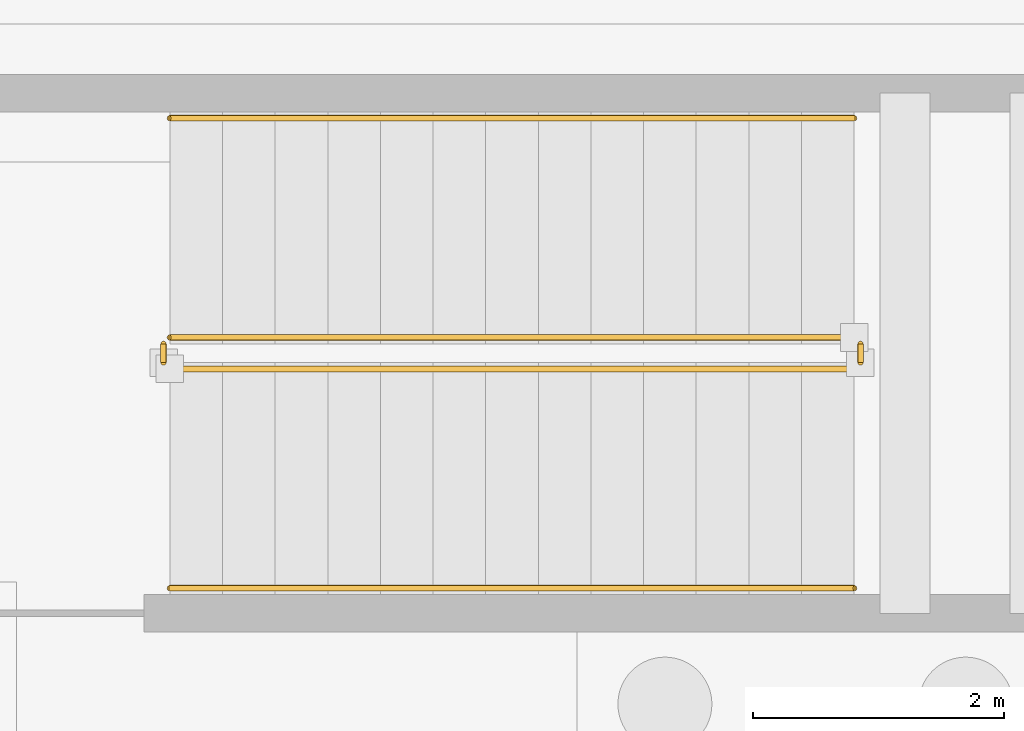
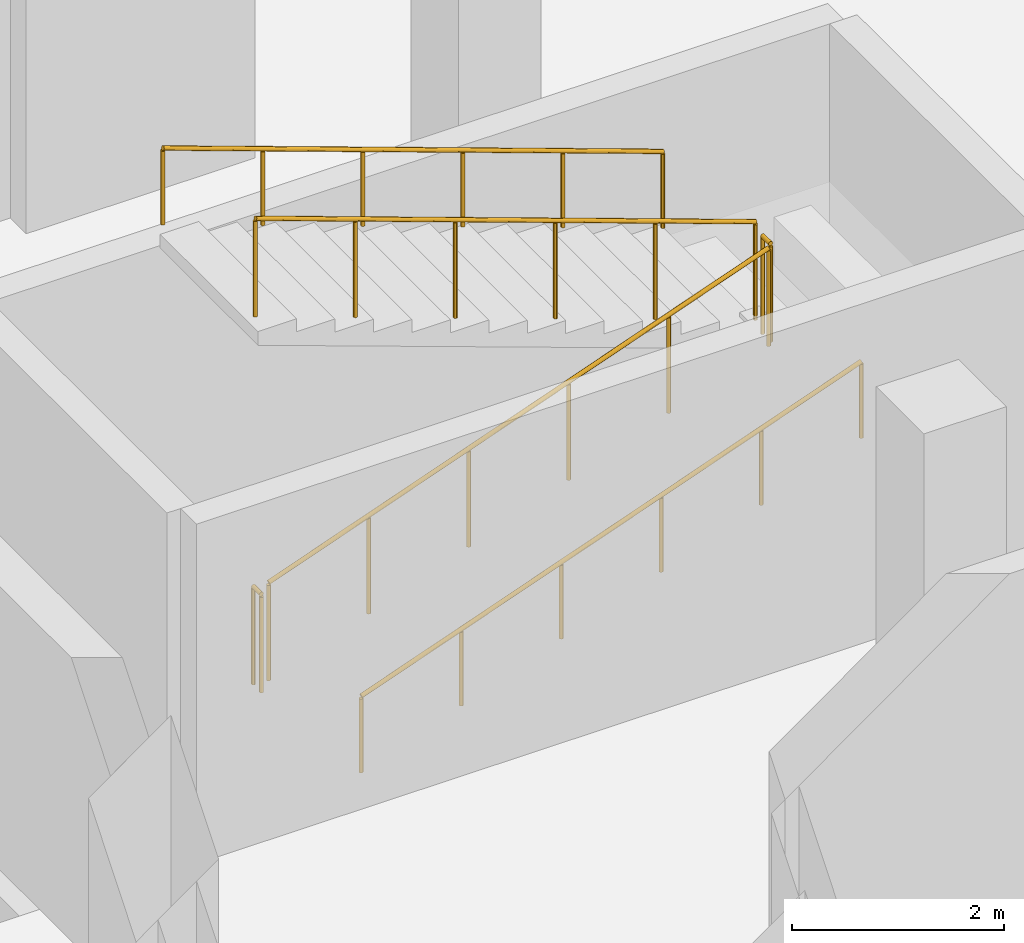
# One storey, part 23 of 28: 6 railings.
"""IFC4 building model written with IfcOpenShell, lengths in metres."""

import ifcopenshell
import ifcopenshell.guid

model = None  # the IFC model being written
_history = None  # IfcOwnerHistory: only IFC2X3 demands one
_inside = {}  # id of a spatial element -> (the spatial element, [elements in it])
_under = {}  # id of a project, library or spatial element -> (it, [spatial elements below it])
_declared = {}  # id of a project -> (the project, [libraries it declares])
_typed = {}  # id of a type object -> (the type object, [elements of that type])
_made_of = {}  # id of a material, layer set ... -> (it, [elements and type objects made of it])


def new_model(schema):
    """Start an empty IFC model of exactly this schema.

    Asked for "IFC4X3", IfcOpenShell would pick the latest addendum, in which some entities
    have other attributes; the version numbers below select the first issue.
    IFC2X3 requires an IfcOwnerHistory on every rooted entity: one is made here for all.
    """
    global model, _history
    if schema == "IFC4X3":
        model = ifcopenshell.file(schema_version=(4, 3, 0, 0))
    else:
        model = ifcopenshell.file(schema=schema)
    _inside.clear()
    _under.clear()
    _declared.clear()
    _typed.clear()
    _made_of.clear()
    _history = None
    if model.schema == "IFC2X3":
        org = make("IfcOrganization", Name="unknown")
        user = make(
            "IfcPersonAndOrganization",
            ThePerson=make("IfcPerson", FamilyName="unknown"),
            TheOrganization=org,
        )
        app = make(
            "IfcApplication",
            ApplicationDeveloper=org,
            Version="unknown",
            ApplicationFullName="unknown",
            ApplicationIdentifier="unknown",
        )
        _history = make(
            "IfcOwnerHistory",
            OwningUser=user,
            OwningApplication=app,
            ChangeAction="ADDED",
            CreationDate=0,
        )
    return model


def make(cls, **values):
    """One entity of the class cls with the attributes given. An attribute that is None is left unset."""
    return model.create_entity(
        cls, **{name: value for name, value in values.items() if value is not None}
    )


def rooted(cls, **values):
    """An entity with a GlobalId (a new one), such as an element, a storey or a relation."""
    return make(cls, GlobalId=ifcopenshell.guid.new(), OwnerHistory=_history, **values)


def si_unit(unit_type, name, prefix=None):
    """IfcSIUnit, for example si_unit("LENGTHUNIT", "METRE", prefix="MILLI")."""
    return make("IfcSIUnit", UnitType=unit_type, Prefix=prefix, Name=name)


def assignment(units):
    """IfcUnitAssignment: the units of a project."""
    return None if units is None else make("IfcUnitAssignment", Units=units)


def point(xyz):
    """IfcCartesianPoint."""
    return None if xyz is None else make("IfcCartesianPoint", Coordinates=xyz)


def direction(xyz):
    """IfcDirection."""
    return None if xyz is None else make("IfcDirection", DirectionRatios=xyz)


def frame(location, z_axis=None, x_axis=None):
    """IfcAxis2Placement3D, a coordinate frame: its origin and axes. An axis left out is left unset."""
    return make(
        "IfcAxis2Placement3D",
        Location=point(location),
        Axis=direction(z_axis),
        RefDirection=direction(x_axis),
    )


def frame_2d(location, x_axis=None):
    """IfcAxis2Placement2D, a coordinate frame in the plane: its origin and x axis."""
    return make(
        "IfcAxis2Placement2D", Location=point(location), RefDirection=direction(x_axis)
    )


def origin():
    """The frame at (0, 0, 0) with its axes left unset."""
    return frame((0.0, 0.0, 0.0))


def origin_2d():
    """The frame at (0, 0) in the plane with its x axis left unset."""
    return frame_2d((0.0, 0.0))


def place(relative_to, where):
    """IfcLocalPlacement: puts the frame where relative to a parent placement (None: the world)."""
    return make(
        "IfcLocalPlacement", PlacementRelTo=relative_to, RelativePlacement=where
    )


def context(
    kind, dimensions, precision=None, world=None, true_north=None, identifier=None
):
    """IfcGeometricRepresentationContext, for example the 3D "Model" context."""
    return make(
        "IfcGeometricRepresentationContext",
        ContextIdentifier=identifier,
        ContextType=kind,
        CoordinateSpaceDimension=dimensions,
        Precision=precision,
        WorldCoordinateSystem=world,
        TrueNorth=true_north,
    )


def subcontext(parent, identifier, kind, view, scale=None):
    """IfcGeometricRepresentationSubContext, for example "Body" below "Model"."""
    return make(
        "IfcGeometricRepresentationSubContext",
        ContextIdentifier=identifier,
        ContextType=kind,
        ParentContext=parent,
        TargetScale=scale,
        TargetView=view,
    )


def project(units=None, contexts=None):
    """IfcProject with its units and contexts."""
    return rooted(
        "IfcProject",
        Name="project",
        RepresentationContexts=contexts,
        UnitsInContext=assignment(units),
    )


def spatial(cls, under=None, at=None, **own):
    """A site, building, storey or space (cls), placed at a placement, below another one or the project."""
    s = rooted(cls, ObjectPlacement=at, **own)
    if under is not None:
        _under.setdefault(under.id(), (under, []))[1].append(s)
    return s


def profile(cls, at=None, kind="AREA", **sizes):
    """A parametric profile (cls). Its sizes go by their IFC names, for example OverallWidth=200.0."""
    return make(cls, ProfileType=kind, Position=at, **sizes)


def circle(**sizes):
    """IfcCircleProfileDef."""
    return profile("IfcCircleProfileDef", **sizes)


def extrude(swept, where, along, depth):
    """IfcExtrudedAreaSolid: the profile swept, set in the frame where, extruded along a direction by depth."""
    return make(
        "IfcExtrudedAreaSolid",
        SweptArea=swept,
        Position=where,
        ExtrudedDirection=direction(along),
        Depth=depth,
    )


def shape(context_of_items, identifier, shape_type, items):
    """IfcShapeRepresentation: the items that make up one representation, for example the "Body"."""
    return make(
        "IfcShapeRepresentation",
        ContextOfItems=context_of_items,
        RepresentationIdentifier=identifier,
        RepresentationType=shape_type,
        Items=items,
    )


def material(Name=None, Category=None):
    """IfcMaterial."""
    return make("IfcMaterial", Name=Name, Category=Category)


def layer(
    of_material, thickness, ventilated=None, Name=None, Category=None, Priority=None
):
    """IfcMaterialLayer: one layer of a wall or slab, of a material (None: an air gap)."""
    return make(
        "IfcMaterialLayer",
        Material=of_material,
        LayerThickness=thickness,
        IsVentilated=ventilated,
        Name=Name,
        Category=Category,
        Priority=Priority,
    )


def layer_set(layers, Name=None):
    """IfcMaterialLayerSet."""
    return make("IfcMaterialLayerSet", MaterialLayers=layers, LayerSetName=Name)


def made_of(thing, what):
    """Note that an element or type object is made of a material, layer set ...; save() writes the relation."""
    if what is not None:
        _made_of.setdefault(what.id(), (what, []))[1].append(thing)
    return thing


def type_object(cls, material=None, **own):
    """A type object (cls), such as IfcWallType, which elements share."""
    return made_of(rooted(cls, **own), material)


def element(
    cls,
    number,
    at=None,
    inside=None,
    cuts=None,
    type_object=None,
    material=None,
    context=None,
    identifier="Body",
    shape_type=None,
    held_by="IfcProductDefinitionShape",
    body=None,
    shapes=None,
    **own,
):
    """One element of the class cls, such as IfcWall. Its Tag is "e" and its number.

    at: its placement. inside: the storey or other place that contains it. cuts: it is an
    opening in that element (IfcRelVoidsElement). A single representation is given by context,
    identifier, shape_type and body (its items); several are given by shapes. held_by: the class
    of the entity that holds the representations. save() writes the other relations.
    """
    e = rooted(cls, Tag="e%d" % number, ObjectPlacement=at, **own)
    if body is not None:
        shapes = [shape(context, identifier, shape_type, body)]
    if shapes is not None:
        e.Representation = make(held_by, Representations=shapes)
    if inside is not None:
        _inside.setdefault(inside.id(), (inside, []))[1].append(e)
    if cuts is not None:
        rooted(
            "IfcRelVoidsElement", RelatingBuildingElement=cuts, RelatedOpeningElement=e
        )
    if type_object is not None:
        _typed.setdefault(type_object.id(), (type_object, []))[1].append(e)
    return made_of(e, material)


def aggregate(whole, parts):
    """IfcRelAggregates: a whole, such as a stair, and the parts it consists of."""
    return rooted("IfcRelAggregates", RelatingObject=whole, RelatedObjects=parts)


def save(model, path):
    """Write the relations noted so far, then the file.

    IfcRelAggregates (storeys below a building ...), IfcRelContainedInSpatialStructure (elements
    in a storey), IfcRelDefinesByType, IfcRelAssociatesMaterial and IfcRelDeclares: one each for
    every whole, place, type object, material and project.
    """
    for whole, parts in _under.values():
        aggregate(whole, parts)
    for where, things in _inside.values():
        rooted(
            "IfcRelContainedInSpatialStructure",
            RelatedElements=things,
            RelatingStructure=where,
        )
    for kind, things in _typed.values():
        rooted("IfcRelDefinesByType", RelatedObjects=things, RelatingType=kind)
    for what, things in _made_of.values():
        rooted("IfcRelAssociatesMaterial", RelatedObjects=things, RelatingMaterial=what)
    for by, libraries in _declared.values():
        rooted("IfcRelDeclares", RelatingContext=by, RelatedDefinitions=libraries)
    model.write(path)


model = new_model("IFC4")

# Units and contexts
model_context = context("Model", 3, precision=1e-05, world=origin(), true_north=direction((0.0, 1.0)))
body_context = subcontext(model_context, "Body", "Model", "MODEL_VIEW")
ifc_project = project(units=[si_unit("LENGTHUNIT", "METRE"), si_unit("AREAUNIT", "SQUARE_METRE"), si_unit("VOLUMEUNIT", "CUBIC_METRE"), si_unit("PLANEANGLEUNIT", "RADIAN"), si_unit("MASSUNIT", "GRAM", prefix="KILO")], contexts=[model_context])

# Site, building, storey
site_placement = place(None, origin())
site = spatial("IfcSite", under=ifc_project, at=site_placement, CompositionType="ELEMENT")
building_placement = place(site_placement, origin())
building = spatial("IfcBuilding", under=site, at=building_placement, Name="Varnakota Cinema and Media Centre", CompositionType="ELEMENT")
storey_placement = place(building_placement, frame((0.0, 0.0, -4.199951171875)))
storey = spatial("IfcBuildingStorey", under=building, at=storey_placement, Name="B1", CompositionType="ELEMENT", Elevation=-4.199951171875)

# Railings
ifc_material_1 = material(Name="Structural steel Grade 350 (E350)", Category="steel")
ifc_layer_1 = layer(ifc_material_1, 0.050048828125)
ifc_layer_set_1 = layer_set([ifc_layer_1], Name="Structural steel Grade 350 (E350)")
railing_type_1 = type_object("IfcRailingType", Name="RAIL-STAIR-GUARD-1150", PredefinedType="GUARDRAIL", material=ifc_layer_set_1)
railing_1_placement = place(storey_placement, frame((3.449951171875, 30.199951171875, 0.14990234375)))
element("IfcRailing", 1, at=railing_1_placement, inside=storey, type_object=railing_type_1, Name="B1 ST-B1 stair guard 1", PredefinedType="GUARDRAIL", context=body_context, shape_type="SweptSolid", body=[
    extrude(circle(Radius=0.02392578125, at=origin_2d()), frame((0.0, 0.0, 1.1259765625), z_axis=(0.941743817001, 0.0, 0.336331061813), x_axis=(0.0, 1.0, 0.0)), (0.0, 0.0, 1.0), 5.797607421875),
    extrude(circle(Radius=0.02099609375, at=origin_2d()), origin(), (0.0, 0.0, 1.0), 1.101806640625),
    extrude(circle(Radius=0.02099609375, at=origin_2d()), frame((1.092041015625, 0.0, 0.389892578125)), (0.0, 0.0, 1.0), 1.101806640625),
    extrude(circle(Radius=0.02099609375, at=origin_2d()), frame((2.18408203125, 0.0, 0.780029296875)), (0.0, 0.0, 1.0), 1.101806640625),
    extrude(circle(Radius=0.02099609375, at=origin_2d()), frame((3.27587890625, 0.0, 1.169921875)), (0.0, 0.0, 1.0), 1.101806640625),
    extrude(circle(Radius=0.02099609375, at=origin_2d()), frame((4.367919921875, 0.0, 1.56005859375)), (0.0, 0.0, 1.0), 1.101806640625),
    extrude(circle(Radius=0.02099609375, at=origin_2d()), frame((5.4599609375, 0.0, 1.949951171875)), (0.0, 0.0, 1.0), 1.101806640625),
])
railing_2_placement = place(storey_placement, frame((8.9599609375, 30.25, 2.099853515625)))
element("IfcRailing", 2, at=railing_2_placement, inside=storey, type_object=railing_type_1, Name="B1 ST-B1 stair guard 2", PredefinedType="GUARDRAIL", context=body_context, shape_type="SweptSolid", body=[
    extrude(circle(Radius=0.02392578125, at=origin_2d()), frame((0.0, 0.0, 1.1259765625), z_axis=(0.0, 1.0, 0.0), x_axis=(-1.0, 0.0, 0.0)), (0.0, 0.0, 1.0), 0.14990234375),
    extrude(circle(Radius=0.02099609375, at=origin_2d()), origin(), (0.0, 0.0, 1.0), 1.101806640625),
    extrude(circle(Radius=0.02099609375, at=origin_2d()), frame((0.0, 0.14990234375, 0.0)), (0.0, 0.0, 1.0), 1.101806640625),
])
railing_3_placement = place(storey_placement, frame((8.909912109375, 30.449951171875, 2.25)))
element("IfcRailing", 3, at=railing_3_placement, inside=storey, type_object=railing_type_1, Name="B1 ST-B1 stair guard 3", PredefinedType="GUARDRAIL", context=body_context, shape_type="SweptSolid", body=[
    extrude(circle(Radius=0.02392578125, at=origin_2d()), frame((0.0, 0.0, 1.1259765625), z_axis=(-0.941743817001, 0.0, 0.336331061813), x_axis=(0.0, -1.0, 0.0)), (0.0, 0.0, 1.0), 5.797607421875),
    extrude(circle(Radius=0.02099609375, at=origin_2d()), origin(), (0.0, 0.0, 1.0), 1.101806640625),
    extrude(circle(Radius=0.02099609375, at=origin_2d()), frame((-1.092041015625, 0.0, 0.389892578125)), (0.0, 0.0, 1.0), 1.101806640625),
    extrude(circle(Radius=0.02099609375, at=origin_2d()), frame((-2.18408203125, 0.0, 0.780029296875)), (0.0, 0.0, 1.0), 1.101806640625),
    extrude(circle(Radius=0.02099609375, at=origin_2d()), frame((-3.27587890625, 0.0, 1.169921875)), (0.0, 0.0, 1.0), 1.101806640625),
    extrude(circle(Radius=0.02099609375, at=origin_2d()), frame((-4.367919921875, 0.0, 1.56005859375)), (0.0, 0.0, 1.0), 1.101806640625),
    extrude(circle(Radius=0.02099609375, at=origin_2d()), frame((-5.4599609375, 0.0, 1.949951171875)), (0.0, 0.0, 1.0), 1.101806640625),
])
railing_4_placement = place(storey_placement, frame((3.39990234375, 30.25, 0.0)))
element("IfcRailing", 4, at=railing_4_placement, inside=storey, type_object=railing_type_1, Name="B1 ST-B1 stair guard 4", PredefinedType="GUARDRAIL", context=body_context, shape_type="SweptSolid", body=[
    extrude(circle(Radius=0.02392578125, at=origin_2d()), frame((0.0, 0.0, 1.1259765625), z_axis=(0.0, 1.0, 0.0), x_axis=(-1.0, 0.0, 0.0)), (0.0, 0.0, 1.0), 0.14990234375),
    extrude(circle(Radius=0.02099609375, at=origin_2d()), origin(), (0.0, 0.0, 1.0), 1.101806640625),
    extrude(circle(Radius=0.02099609375, at=origin_2d()), frame((0.0, 0.14990234375, 0.0)), (0.0, 0.0, 1.0), 1.101806640625),
])
ifc_material_2 = material(Name="Structural steel Grade 350 (E350)", Category="steel")
ifc_layer_2 = layer(ifc_material_2, 0.048095703125)
ifc_layer_set_2 = layer_set([ifc_layer_2], Name="Structural steel Grade 350 (E350)")
railing_type_2 = type_object("IfcRailingType", Name="RAIL-STAIR-HAND-900", PredefinedType="HANDRAIL", material=ifc_layer_set_2)
railing_5_placement = place(storey_placement, frame((3.449951171875, 28.449951171875, 0.14990234375)))
element("IfcRailing", 5, at=railing_5_placement, inside=storey, type_object=railing_type_2, Name="B1 ST-B1 stair handrail 1", PredefinedType="HANDRAIL", context=body_context, shape_type="SweptSolid", body=[
    extrude(circle(Radius=0.02392578125, at=origin_2d()), frame((0.0, 0.0, 0.8759765625), z_axis=(0.941743817001, 0.0, 0.336331061813), x_axis=(0.0, 1.0, 0.0)), (0.0, 0.0, 1.0), 5.797607421875),
    extrude(circle(Radius=0.02099609375, at=origin_2d()), origin(), (0.0, 0.0, 1.0), 0.851806640625),
    extrude(circle(Radius=0.02099609375, at=origin_2d()), frame((1.092041015625, 0.0, 0.389892578125)), (0.0, 0.0, 1.0), 0.851806640625),
    extrude(circle(Radius=0.02099609375, at=origin_2d()), frame((2.18408203125, 0.0, 0.780029296875)), (0.0, 0.0, 1.0), 0.851806640625),
    extrude(circle(Radius=0.02099609375, at=origin_2d()), frame((3.27587890625, 0.0, 1.169921875)), (0.0, 0.0, 1.0), 0.851806640625),
    extrude(circle(Radius=0.02099609375, at=origin_2d()), frame((4.367919921875, 0.0, 1.56005859375)), (0.0, 0.0, 1.0), 0.851806640625),
    extrude(circle(Radius=0.02099609375, at=origin_2d()), frame((5.4599609375, 0.0, 1.949951171875)), (0.0, 0.0, 1.0), 0.851806640625),
])
railing_6_placement = place(storey_placement, frame((8.909912109375, 32.199951171875, 2.25)))
element("IfcRailing", 6, at=railing_6_placement, inside=storey, type_object=railing_type_2, Name="B1 ST-B1 stair handrail 2", PredefinedType="HANDRAIL", context=body_context, shape_type="SweptSolid", body=[
    extrude(circle(Radius=0.02392578125, at=origin_2d()), frame((0.0, 0.0, 0.8759765625), z_axis=(-0.941743817001, 0.0, 0.336331061813), x_axis=(0.0, -1.0, 0.0)), (0.0, 0.0, 1.0), 5.797607421875),
    extrude(circle(Radius=0.02099609375, at=origin_2d()), origin(), (0.0, 0.0, 1.0), 0.851806640625),
    extrude(circle(Radius=0.02099609375, at=origin_2d()), frame((-1.092041015625, 0.0, 0.389892578125)), (0.0, 0.0, 1.0), 0.851806640625),
    extrude(circle(Radius=0.02099609375, at=origin_2d()), frame((-2.18408203125, 0.0, 0.780029296875)), (0.0, 0.0, 1.0), 0.851806640625),
    extrude(circle(Radius=0.02099609375, at=origin_2d()), frame((-3.27587890625, 0.0, 1.169921875)), (0.0, 0.0, 1.0), 0.851806640625),
    extrude(circle(Radius=0.02099609375, at=origin_2d()), frame((-4.367919921875, 0.0, 1.56005859375)), (0.0, 0.0, 1.0), 0.851806640625),
    extrude(circle(Radius=0.02099609375, at=origin_2d()), frame((-5.4599609375, 0.0, 1.949951171875)), (0.0, 0.0, 1.0), 0.851806640625),
])

save(model, "model.ifc")
